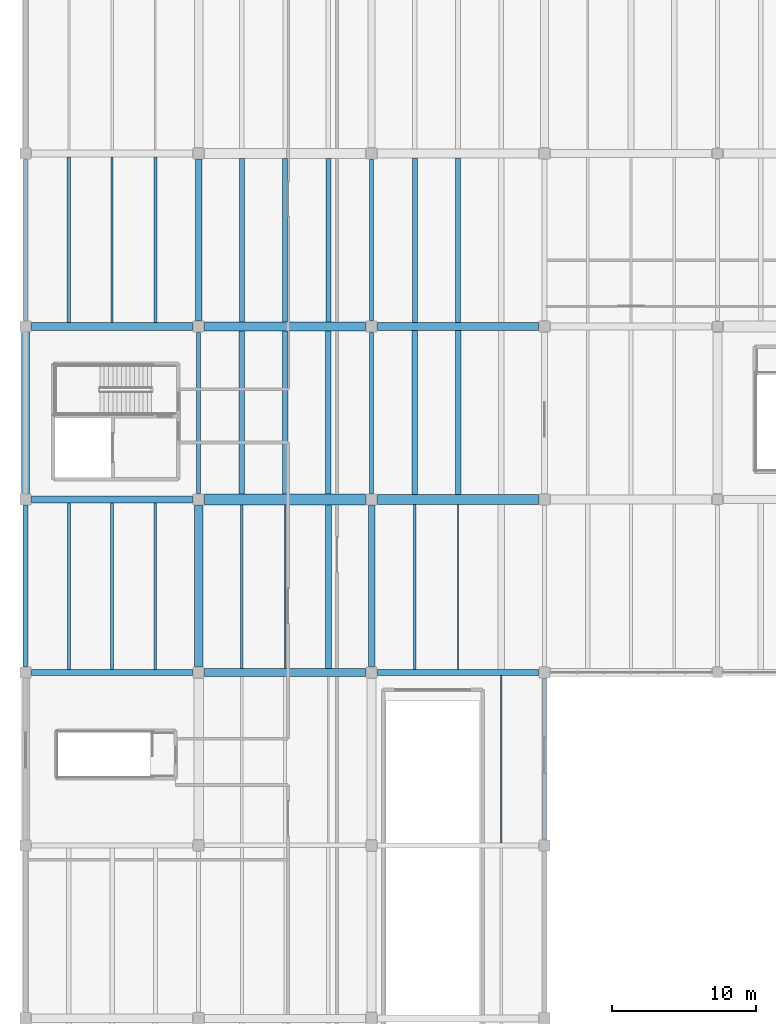
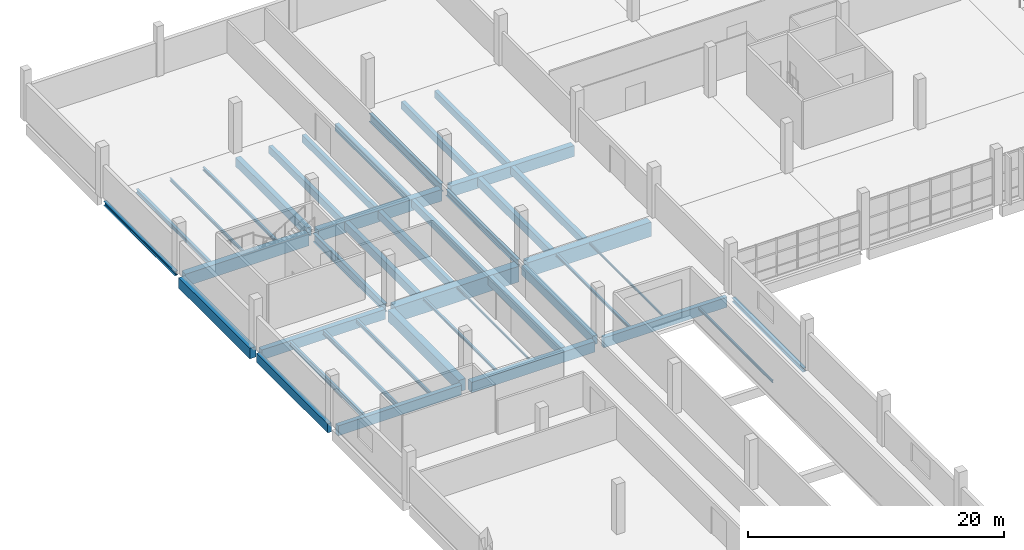
# One storey, part 26 of 112: 41 beams.
"""IFC4 building model written with IfcOpenShell, lengths in metres."""

from ifc_helpers import new_model, si_unit, direction, frame, origin, origin_2d, place, context, subcontext, project, spatial, rectangle, i_section, extrude, material, material_profile, profile_set, type_object, element, save


model = new_model("IFC4")

# Units and contexts
model_context = context("Model", 3, precision=1e-05, world=origin(), true_north=direction((0.0, 1.0)))
body_context = subcontext(model_context, "Body", "Model", "MODEL_VIEW")
ifc_project = project(units=[si_unit("LENGTHUNIT", "METRE"), si_unit("AREAUNIT", "SQUARE_METRE"), si_unit("VOLUMEUNIT", "CUBIC_METRE"), si_unit("PLANEANGLEUNIT", "RADIAN"), si_unit("MASSUNIT", "GRAM", prefix="KILO")], contexts=[model_context])

# Site, building, storey
site_placement = place(None, origin())
site = spatial("IfcSite", under=ifc_project, at=site_placement, CompositionType="ELEMENT")
building_placement = place(site_placement, origin())
building = spatial("IfcBuilding", under=site, at=building_placement, Name="Kamomehara Wholesale Market", CompositionType="ELEMENT")
storey_placement = place(building_placement, frame((0.0, 0.0, 6.60009765625)))
storey = spatial("IfcBuildingStorey", under=building, at=storey_placement, Name="L01", CompositionType="ELEMENT", Elevation=6.60009765625)

# Beams
ifc_material_1 = material(Name="Precast concrete Fc45 (C40/50)", Category="concrete")
ifc_material_profile_1 = material_profile(ifc_material_1, rectangle(XDim=0.550048828125, YDim=1.050048828125, at=origin_2d()), Name="PC-GRD-550x1050")
ifc_profile_set_1 = profile_set([ifc_material_profile_1], Name="Precast concrete Fc45 (C40/50)")
beam_type_1 = type_object("IfcBeamType", Name="BM-PG1050", PredefinedType="T_BEAM", material=ifc_profile_set_1)
beam_1_placement = place(storey_placement, frame((24.425048828125, 132.0, -0.877197265625), z_axis=(1.0, 0.0, 0.0), x_axis=(0.0, 1.0, 0.0)))
element("IfcBeam", 1, at=beam_1_placement, inside=storey, type_object=beam_type_1, Name="Beam PG-08 L01", PredefinedType="T_BEAM", context=body_context, shape_type="SweptSolid", body=[
    extrude(rectangle(XDim=0.550048828125, YDim=1.050048828125, at=origin_2d()), origin(), (0.0, 0.0, 1.0), 11.14990234375),
])
ifc_material_2 = material(Name="Precast concrete Fc45 (C40/50)", Category="concrete")
ifc_material_profile_2 = material_profile(ifc_material_2, rectangle(XDim=0.60009765625, YDim=1.10009765625, at=origin_2d()), Name="PC-GRD-600x1100")
ifc_profile_set_2 = profile_set([ifc_material_profile_2], Name="Precast concrete Fc45 (C40/50)")
beam_type_2 = type_object("IfcBeamType", Name="BM-PG1100", PredefinedType="T_BEAM", material=ifc_profile_set_2)
for number, where, z_axis, x_axis, name in (
    (2, (12.0, 108.425048828125, -0.882080078125), (0.0, 1.0, 0.0), (-1.0, 0.0, 0.0), "Beam PG-07 L01"),
    (3, (12.425048828125, 132.0, -0.902099609375), (1.0, 0.0, 0.0), (0.0, 1.0, 0.0), "Beam PG-07 L01"),
):
    element("IfcBeam", number, at=place(storey_placement, frame(where, z_axis=z_axis, x_axis=x_axis)), inside=storey, type_object=beam_type_2, Name=name, PredefinedType="T_BEAM", context=body_context, shape_type="SweptSolid", body=[
        extrude(rectangle(XDim=0.60009765625, YDim=1.10009765625, at=origin_2d()), origin(), (0.0, 0.0, 1.0), 11.14990234375),
    ])
ifc_material_3 = material(Name="Precast concrete Fc45 (C40/50)", Category="concrete")
ifc_material_profile_3 = material_profile(ifc_material_3, rectangle(XDim=0.580078125, YDim=1.179931640625, at=origin_2d()), Name="PC-GRD-580x1180")
ifc_profile_set_3 = profile_set([ifc_material_profile_3], Name="Precast concrete Fc45 (C40/50)")
beam_type_3 = type_object("IfcBeamType", Name="BM-PG1180", PredefinedType="T_BEAM", material=ifc_profile_set_3)
beam_2_placement = place(storey_placement, frame((0.425048828125, 132.0, -0.942138671875), z_axis=(1.0, 0.0, 0.0), x_axis=(0.0, 1.0, 0.0)))
element("IfcBeam", 4, at=beam_2_placement, inside=storey, type_object=beam_type_3, Name="Beam PG-14 L01", PredefinedType="T_BEAM", context=body_context, shape_type="SweptSolid", body=[
    extrude(rectangle(XDim=0.580078125, YDim=1.179931640625, at=origin_2d()), origin(), (0.0, 0.0, 1.0), 11.14990234375),
])
ifc_material_4 = material(Name="Precast concrete Fc45 (C40/50)", Category="concrete")
ifc_material_profile_4 = material_profile(ifc_material_4, rectangle(XDim=0.679931640625, YDim=1.3798828125, at=origin_2d()), Name="PC-GRD-680x1380")
ifc_profile_set_4 = profile_set([ifc_material_profile_4], Name="Precast concrete Fc45 (C40/50)")
beam_type_4 = type_object("IfcBeamType", Name="BM-PG1380", PredefinedType="T_BEAM", material=ifc_profile_set_4)
beam_3_placement = place(storey_placement, frame((24.425048828125, 120.0, -1.0419921875), z_axis=(1.0, 0.0, 0.0), x_axis=(0.0, 1.0, 0.0)))
element("IfcBeam", 5, at=beam_3_placement, inside=storey, type_object=beam_type_4, Name="Beam PG-12 L01", PredefinedType="T_BEAM", context=body_context, shape_type="SweptSolid", body=[
    extrude(rectangle(XDim=0.679931640625, YDim=1.3798828125, at=origin_2d()), origin(), (0.0, 0.0, 1.0), 11.14990234375),
])
ifc_material_5 = material(Name="Precast concrete Fc45 (C40/50)", Category="concrete")
ifc_material_profile_5 = material_profile(ifc_material_5, rectangle(XDim=0.75, YDim=1.5, at=origin_2d()), Name="PC-GRD-750x1500")
ifc_profile_set_5 = profile_set([ifc_material_profile_5], Name="Precast concrete Fc45 (C40/50)")
beam_type_5 = type_object("IfcBeamType", Name="BM-PG1500", PredefinedType="T_BEAM", material=ifc_profile_set_5)
beam_4_placement = place(storey_placement, frame((12.425048828125, 120.0, -1.10205078125), z_axis=(1.0, 0.0, 0.0), x_axis=(0.0, 1.0, 0.0)))
element("IfcBeam", 6, at=beam_4_placement, inside=storey, type_object=beam_type_5, Name="Beam PG-01 L01", PredefinedType="T_BEAM", context=body_context, shape_type="SweptSolid", body=[
    extrude(rectangle(XDim=0.75, YDim=1.5, at=origin_2d()), origin(), (0.0, 0.0, 1.0), 11.14990234375),
])
ifc_material_6 = material(Name="Precast concrete Fc45 (C40/50)", Category="concrete")
ifc_material_profile_6 = material_profile(ifc_material_6, rectangle(XDim=0.449951171875, YDim=0.85009765625, at=origin_2d()), Name="PC-GRD-450x850")
ifc_profile_set_6 = profile_set([ifc_material_profile_6], Name="Precast concrete Fc45 (C40/50)")
beam_type_6 = type_object("IfcBeamType", Name="BM-PG850", PredefinedType="T_BEAM", material=ifc_profile_set_6)
for number, where, z_axis, x_axis, name in (
    (7, (24.0, 108.425048828125, -0.757080078125), (0.0, 1.0, 0.0), (-1.0, 0.0, 0.0), "Beam PG-11 L01"),
    (8, (12.0, 132.425048828125, -0.777099609375), (0.0, 1.0, 0.0), (-1.0, 0.0, 0.0), "Beam PG-11 L01"),
):
    element("IfcBeam", number, at=place(storey_placement, frame(where, z_axis=z_axis, x_axis=x_axis)), inside=storey, type_object=beam_type_6, Name=name, PredefinedType="T_BEAM", context=body_context, shape_type="SweptSolid", body=[
        extrude(rectangle(XDim=0.449951171875, YDim=0.85009765625, at=origin_2d()), origin(), (0.0, 0.0, 1.0), 11.14990234375),
    ])
ifc_material_7 = material(Name="Precast concrete Fc45 (C40/50)", Category="concrete")
ifc_material_profile_7 = material_profile(ifc_material_7, rectangle(XDim=0.47998046875, YDim=0.949951171875, at=origin_2d()), Name="PC-GRD-480x950")
ifc_profile_set_7 = profile_set([ifc_material_profile_7], Name="Precast concrete Fc45 (C40/50)")
beam_type_7 = type_object("IfcBeamType", Name="BM-PG950", PredefinedType="T_BEAM", material=ifc_profile_set_7)
beam_5_placement = place(storey_placement, frame((0.425048828125, 120.0, -0.8271484375), z_axis=(1.0, 0.0, 0.0), x_axis=(0.0, 1.0, 0.0)))
element("IfcBeam", 9, at=beam_5_placement, inside=storey, type_object=beam_type_7, Name="Beam PG-16 L01", PredefinedType="T_BEAM", context=body_context, shape_type="SweptSolid", body=[
    extrude(rectangle(XDim=0.47998046875, YDim=0.949951171875, at=origin_2d()), origin(), (0.0, 0.0, 1.0), 11.14990234375),
])
ifc_material_8 = material(Name="Precast concrete Fc45 (C40/50)", Category="concrete")
ifc_material_profile_8 = material_profile(ifc_material_8, rectangle(XDim=0.35009765625, YDim=0.64990234375, at=origin_2d()), Name="PC-JST-350x650")
ifc_profile_set_8 = profile_set([ifc_material_profile_8], Name="Precast concrete Fc45 (C40/50)")
beam_type_8 = type_object("IfcBeamType", Name="BM-PJ650", PredefinedType="JOIST", material=ifc_profile_set_8)
beam_6_placement = place(storey_placement, frame((21.0, 132.300048828125, -0.677001953125), z_axis=(0.0, 1.0, 0.0), x_axis=(-1.0, 0.0, 0.0)))
element("IfcBeam", 10, at=beam_6_placement, inside=storey, type_object=beam_type_8, Name="Beam PJ-04 L01", PredefinedType="JOIST", context=body_context, shape_type="SweptSolid", body=[
    extrude(rectangle(XDim=0.35009765625, YDim=0.64990234375, at=origin_2d()), origin(), (0.0, 0.0, 1.0), 11.349853515625),
])
ifc_material_9 = material(Name="Precast concrete Fc45 (C40/50)", Category="concrete")
ifc_material_profile_9 = material_profile(ifc_material_9, rectangle(XDim=0.340087890625, YDim=0.679931640625, at=origin_2d()), Name="PC-JST-340x680")
ifc_profile_set_9 = profile_set([ifc_material_profile_9], Name="Precast concrete Fc45 (C40/50)")
beam_type_9 = type_object("IfcBeamType", Name="BM-PJ680", PredefinedType="JOIST", material=ifc_profile_set_9)
beam_7_placement = place(storey_placement, frame((18.0, 132.300048828125, -0.692138671875), z_axis=(0.0, 1.0, 0.0), x_axis=(-1.0, 0.0, 0.0)))
element("IfcBeam", 11, at=beam_7_placement, inside=storey, type_object=beam_type_9, Name="Beam PJ-09 L01", PredefinedType="JOIST", context=body_context, shape_type="SweptSolid", body=[
    extrude(rectangle(XDim=0.340087890625, YDim=0.679931640625, at=origin_2d()), origin(), (0.0, 0.0, 1.0), 11.349853515625),
])
beam_8_placement = place(storey_placement, frame((30.0, 132.27490234375, -0.692138671875), z_axis=(0.0, 1.0, 0.0), x_axis=(-1.0, 0.0, 0.0)))
element("IfcBeam", 12, at=beam_8_placement, inside=storey, type_object=beam_type_9, Name="Beam PJ-09 L01", PredefinedType="JOIST", context=body_context, shape_type="SweptSolid", body=[
    extrude(rectangle(XDim=0.340087890625, YDim=0.679931640625, at=origin_2d()), origin(), (0.0, 0.0, 1.0), 11.4150390625),
])
ifc_material_10 = material(Name="Precast concrete Fc45 (C40/50)", Category="concrete")
ifc_material_profile_10 = material_profile(ifc_material_10, rectangle(XDim=0.35009765625, YDim=0.699951171875, at=origin_2d()), Name="PC-JST-350x700")
ifc_profile_set_10 = profile_set([ifc_material_profile_10], Name="Precast concrete Fc45 (C40/50)")
beam_type_10 = type_object("IfcBeamType", Name="BM-PJ700", PredefinedType="JOIST", material=ifc_profile_set_10)
beam_9_placement = place(storey_placement, frame((15.0, 132.300048828125, -0.7021484375), z_axis=(0.0, 1.0, 0.0), x_axis=(-1.0, 0.0, 0.0)))
element("IfcBeam", 13, at=beam_9_placement, inside=storey, type_object=beam_type_10, Name="Beam PJ-03 L01", PredefinedType="JOIST", context=body_context, shape_type="SweptSolid", body=[
    extrude(rectangle(XDim=0.35009765625, YDim=0.699951171875, at=origin_2d()), origin(), (0.0, 0.0, 1.0), 11.349853515625),
])
beam_10_placement = place(storey_placement, frame((27.0, 132.27490234375, -0.7021484375), z_axis=(0.0, 1.0, 0.0), x_axis=(-1.0, 0.0, 0.0)))
element("IfcBeam", 14, at=beam_10_placement, inside=storey, type_object=beam_type_10, Name="Beam PJ-03 L01", PredefinedType="JOIST", context=body_context, shape_type="SweptSolid", body=[
    extrude(rectangle(XDim=0.35009765625, YDim=0.699951171875, at=origin_2d()), origin(), (0.0, 0.0, 1.0), 11.4150390625),
])
ifc_material_11 = material(Name="Precast concrete Fc45 (C40/50)", Category="concrete")
ifc_material_profile_11 = material_profile(ifc_material_11, rectangle(XDim=0.360107421875, YDim=0.719970703125, at=origin_2d()), Name="PC-JST-360x720")
ifc_profile_set_11 = profile_set([ifc_material_profile_11], Name="Precast concrete Fc45 (C40/50)")
beam_type_11 = type_object("IfcBeamType", Name="BM-PJ720", PredefinedType="JOIST", material=ifc_profile_set_11)
beam_11_placement = place(storey_placement, frame((21.0, 120.375, -0.712158203125), z_axis=(0.0, 1.0, 0.0), x_axis=(-1.0, 0.0, 0.0)))
element("IfcBeam", 15, at=beam_11_placement, inside=storey, type_object=beam_type_11, Name="Beam PJ-08 L01", PredefinedType="JOIST", context=body_context, shape_type="SweptSolid", body=[
    extrude(rectangle(XDim=0.360107421875, YDim=0.719970703125, at=origin_2d()), origin(), (0.0, 0.0, 1.0), 11.324951171875),
])
ifc_material_12 = material(Name="Precast concrete Fc45 (C40/50)", Category="concrete")
ifc_material_profile_12 = material_profile(ifc_material_12, rectangle(XDim=0.3798828125, YDim=0.75, at=origin_2d()), Name="PC-JST-380x750")
ifc_profile_set_12 = profile_set([ifc_material_profile_12], Name="Precast concrete Fc45 (C40/50)")
beam_type_12 = type_object("IfcBeamType", Name="BM-PJ750", PredefinedType="JOIST", material=ifc_profile_set_12)
beam_12_placement = place(storey_placement, frame((18.0, 120.375, -0.72705078125), z_axis=(0.0, 1.0, 0.0), x_axis=(-1.0, 0.0, 0.0)))
element("IfcBeam", 16, at=beam_12_placement, inside=storey, type_object=beam_type_12, Name="Beam PJ-02 L01", PredefinedType="JOIST", context=body_context, shape_type="SweptSolid", body=[
    extrude(rectangle(XDim=0.3798828125, YDim=0.75, at=origin_2d()), origin(), (0.0, 0.0, 1.0), 11.324951171875),
])
beam_13_placement = place(storey_placement, frame((30.0, 120.340087890625, -0.72705078125), z_axis=(0.0, 1.0, 0.0), x_axis=(-1.0, 0.0, 0.0)))
element("IfcBeam", 17, at=beam_13_placement, inside=storey, type_object=beam_type_12, Name="Beam PJ-02 L01", PredefinedType="JOIST", context=body_context, shape_type="SweptSolid", body=[
    extrude(rectangle(XDim=0.3798828125, YDim=0.75, at=origin_2d()), origin(), (0.0, 0.0, 1.0), 11.385009765625),
])
ifc_material_13 = material(Name="Precast concrete Fc45 (C40/50)", Category="concrete")
ifc_material_profile_13 = material_profile(ifc_material_13, rectangle(XDim=0.39990234375, YDim=0.800048828125, at=origin_2d()), Name="PC-JST-400x800")
ifc_profile_set_13 = profile_set([ifc_material_profile_13], Name="Precast concrete Fc45 (C40/50)")
beam_type_13 = type_object("IfcBeamType", Name="BM-PJ800", PredefinedType="JOIST", material=ifc_profile_set_13)
beam_14_placement = place(storey_placement, frame((15.0, 120.375, -0.752197265625), z_axis=(0.0, 1.0, 0.0), x_axis=(-1.0, 0.0, 0.0)))
element("IfcBeam", 18, at=beam_14_placement, inside=storey, type_object=beam_type_13, Name="Beam PJ-01 L01", PredefinedType="JOIST", context=body_context, shape_type="SweptSolid", body=[
    extrude(rectangle(XDim=0.39990234375, YDim=0.800048828125, at=origin_2d()), origin(), (0.0, 0.0, 1.0), 11.324951171875),
])
beam_15_placement = place(storey_placement, frame((27.0, 120.340087890625, -0.752197265625), z_axis=(0.0, 1.0, 0.0), x_axis=(-1.0, 0.0, 0.0)))
element("IfcBeam", 19, at=beam_15_placement, inside=storey, type_object=beam_type_13, Name="Beam PJ-01 L01", PredefinedType="JOIST", context=body_context, shape_type="SweptSolid", body=[
    extrude(rectangle(XDim=0.39990234375, YDim=0.800048828125, at=origin_2d()), origin(), (0.0, 0.0, 1.0), 11.385009765625),
])
ifc_material_14 = material(Name="Precast concrete Fc45 (C40/50)", Category="concrete")
ifc_material_profile_14 = material_profile(ifc_material_14, rectangle(XDim=0.419921875, YDim=0.840087890625, at=origin_2d()), Name="PC-JST-420x840")
ifc_profile_set_14 = profile_set([ifc_material_profile_14], Name="Precast concrete Fc45 (C40/50)")
beam_type_14 = type_object("IfcBeamType", Name="BM-PJ840", PredefinedType="JOIST", material=ifc_profile_set_14)
beam_16_placement = place(storey_placement, frame((21.0, 108.27490234375, -0.752197265625), z_axis=(0.0, 1.0, 0.0), x_axis=(-1.0, 0.0, 0.0)))
element("IfcBeam", 20, at=beam_16_placement, inside=storey, type_object=beam_type_14, Name="Beam PJ-07 L01", PredefinedType="JOIST", context=body_context, shape_type="SweptSolid", body=[
    extrude(rectangle(XDim=0.419921875, YDim=0.840087890625, at=origin_2d()), origin(), (0.0, 0.0, 1.0), 11.35009765625),
])
ifc_material_15 = material(Name="Concrete Fc36 (C35/45)", Category="concrete")
ifc_material_profile_15 = material_profile(ifc_material_15, rectangle(XDim=0.550048828125, YDim=1.0, at=origin_2d()), Name="RC-SEB-550x1000")
ifc_profile_set_15 = profile_set([ifc_material_profile_15], Name="Concrete Fc36 (C35/45)")
beam_type_15 = type_object("IfcBeamType", Name="BM-SEB1000-EXT", PredefinedType="SPANDREL", material=ifc_profile_set_15)
for number, where, z_axis, x_axis, name in (
    (21, (12.425048828125, 108.0, -0.842041015625), (1.0, 0.0, 0.0), (0.0, 1.0, 0.0), "Beam SEB-03E L01"),
    (22, (0.0, 120.425048828125, -0.85205078125), (0.0, 1.0, 0.0), (-1.0, 0.0, 0.0), "Beam SEB-03E L01"),
):
    element("IfcBeam", number, at=place(storey_placement, frame(where, z_axis=z_axis, x_axis=x_axis)), inside=storey, type_object=beam_type_15, Name=name, PredefinedType="SPANDREL", context=body_context, shape_type="SweptSolid", body=[
        extrude(rectangle(XDim=0.550048828125, YDim=1.0, at=origin_2d()), origin(), (0.0, 0.0, 1.0), 11.14990234375),
    ])
ifc_material_16 = material(Name="Precast concrete Fc45 (C40/50)", Category="concrete")
ifc_material_profile_16 = material_profile(ifc_material_16, rectangle(XDim=0.35009765625, YDim=0.85009765625, at=origin_2d()), Name="PC-SPN-350x850")
ifc_profile_set_16 = profile_set([ifc_material_profile_16], Name="Precast concrete Fc45 (C40/50)")
beam_type_16 = type_object("IfcBeamType", Name="BM-SPN850-EXT", PredefinedType="SPANDREL", material=ifc_profile_set_16)
beam_17_placement = place(storey_placement, frame((0.0, 108.425048828125, -0.757080078125), z_axis=(0.0, 1.0, 0.0), x_axis=(-1.0, 0.0, 0.0)))
element("IfcBeam", 23, at=beam_17_placement, inside=storey, type_object=beam_type_16, Name="Beam SPN-02E L01", PredefinedType="SPANDREL", context=body_context, shape_type="SweptSolid", body=[
    extrude(rectangle(XDim=0.35009765625, YDim=0.85009765625, at=origin_2d()), origin(), (0.0, 0.0, 1.0), 11.14990234375),
])
ifc_material_17 = material(Name="Precast concrete Fc45 (C40/50)", Category="concrete")
ifc_material_profile_17 = material_profile(ifc_material_17, rectangle(XDim=0.39990234375, YDim=0.949951171875, at=origin_2d()), Name="PC-SPN-400x950")
ifc_profile_set_17 = profile_set([ifc_material_profile_17], Name="Precast concrete Fc45 (C40/50)")
beam_type_17 = type_object("IfcBeamType", Name="BM-SPN950-EXT", PredefinedType="SPANDREL", material=ifc_profile_set_17)
for number, where, z_axis, x_axis, name in (
    (24, (0.425048828125, 108.0, -0.817138671875), (1.0, 0.0, 0.0), (0.0, 1.0, 0.0), "Beam SPN-01E L01"),
    (25, (24.425048828125, 108.0, -0.817138671875), (1.0, 0.0, 0.0), (0.0, 1.0, 0.0), "Beam SPN-01E L01"),
):
    element("IfcBeam", number, at=place(storey_placement, frame(where, z_axis=z_axis, x_axis=x_axis)), inside=storey, type_object=beam_type_17, Name=name, PredefinedType="SPANDREL", context=body_context, shape_type="SweptSolid", body=[
        extrude(rectangle(XDim=0.39990234375, YDim=0.949951171875, at=origin_2d()), origin(), (0.0, 0.0, 1.0), 11.14990234375),
    ])
ifc_material_18 = material(Name="Steel SN400B", Category="steel")
ifc_material_profile_18 = material_profile(ifc_material_18, i_section(OverallWidth=0.10009765625, OverallDepth=0.199951171875, WebThickness=0.005615234375, FlangeThickness=0.008056640625, FilletRadius=0.008056640625, at=origin_2d()), Name="H-200x100x5.5x8")
ifc_profile_set_18 = profile_set([ifc_material_profile_18], Name="Steel SN400B")
beam_type_18 = type_object("IfcBeamType", Name="BM-ST-H200", PredefinedType="LINTEL", material=ifc_profile_set_18)
beam_18_placement = place(storey_placement, frame((18.0, 108.27490234375, -0.43212890625), z_axis=(0.0, 1.0, 0.0), x_axis=(-1.0, 0.0, 0.0)))
element("IfcBeam", 26, at=beam_18_placement, inside=storey, type_object=beam_type_18, Name="Beam SJ-07 L01", PredefinedType="LINTEL", context=body_context, shape_type="SweptSolid", body=[
    extrude(i_section(OverallWidth=0.10009765625, OverallDepth=0.199951171875, WebThickness=0.005615234375, FlangeThickness=0.008056640625, FilletRadius=0.008056640625, at=origin_2d()), origin(), (0.0, 0.0, 1.0), 11.35009765625),
])
beam_19_placement = place(storey_placement, frame((30.0, 108.199951171875, -0.43212890625), z_axis=(0.0, 1.0, 0.0), x_axis=(-1.0, 0.0, 0.0)))
element("IfcBeam", 27, at=beam_19_placement, inside=storey, type_object=beam_type_18, Name="Beam SJ-07 L01", PredefinedType="LINTEL", context=body_context, shape_type="SweptSolid", body=[
    extrude(i_section(OverallWidth=0.10009765625, OverallDepth=0.199951171875, WebThickness=0.005615234375, FlangeThickness=0.008056640625, FilletRadius=0.008056640625, at=origin_2d()), origin(), (0.0, 0.0, 1.0), 11.4599609375),
])
ifc_material_19 = material(Name="Steel SN400B", Category="steel")
ifc_material_profile_19 = material_profile(ifc_material_19, i_section(OverallWidth=0.175048828125, OverallDepth=0.243896484375, WebThickness=0.007080078125, FlangeThickness=0.010986328125, FilletRadius=0.010986328125, at=origin_2d()), Name="H-244x175x7x11")
ifc_profile_set_19 = profile_set([ifc_material_profile_19], Name="Steel SN400B")
beam_type_19 = type_object("IfcBeamType", Name="BM-ST-H244", PredefinedType="JOIST", material=ifc_profile_set_19)
beam_20_placement = place(storey_placement, frame((15.0, 108.27490234375, -0.4541015625), z_axis=(0.0, 1.0, 0.0), x_axis=(-1.0, 0.0, 0.0)))
element("IfcBeam", 28, at=beam_20_placement, inside=storey, type_object=beam_type_19, Name="Beam SJ-10 L01", PredefinedType="JOIST", context=body_context, shape_type="SweptSolid", body=[
    extrude(i_section(OverallWidth=0.175048828125, OverallDepth=0.243896484375, WebThickness=0.007080078125, FlangeThickness=0.010986328125, FilletRadius=0.010986328125, at=origin_2d()), origin(), (0.0, 0.0, 1.0), 11.35009765625),
])
beam_21_placement = place(storey_placement, frame((27.0, 108.199951171875, -0.4541015625), z_axis=(0.0, 1.0, 0.0), x_axis=(-1.0, 0.0, 0.0)))
element("IfcBeam", 29, at=beam_21_placement, inside=storey, type_object=beam_type_19, Name="Beam SJ-10 L01", PredefinedType="JOIST", context=body_context, shape_type="SweptSolid", body=[
    extrude(i_section(OverallWidth=0.175048828125, OverallDepth=0.243896484375, WebThickness=0.007080078125, FlangeThickness=0.010986328125, FilletRadius=0.010986328125, at=origin_2d()), origin(), (0.0, 0.0, 1.0), 11.4599609375),
])
ifc_material_20 = material(Name="Steel SN400B", Category="steel")
ifc_material_profile_20 = material_profile(ifc_material_20, i_section(OverallWidth=0.125, OverallDepth=0.25, WebThickness=0.006103515625, FlangeThickness=0.009033203125, FilletRadius=0.008056640625, at=origin_2d()), Name="H-250x125x6x9")
ifc_profile_set_20 = profile_set([ifc_material_profile_20], Name="Steel SN400B")
beam_type_20 = type_object("IfcBeamType", Name="BM-ST-H250", PredefinedType="JOIST", material=ifc_profile_set_20)
beam_22_placement = place(storey_placement, frame((33.0, 96.175048828125, -0.467041015625), z_axis=(0.0, 1.0, 0.0), x_axis=(-1.0, 0.0, 0.0)))
element("IfcBeam", 30, at=beam_22_placement, inside=storey, type_object=beam_type_20, Name="Beam SJ-06 L01", PredefinedType="JOIST", context=body_context, shape_type="SweptSolid", body=[
    extrude(i_section(OverallWidth=0.125, OverallDepth=0.25, WebThickness=0.006103515625, FlangeThickness=0.009033203125, FilletRadius=0.008056640625, at=origin_2d()), origin(), (0.0, 0.0, 1.0), 11.625),
])
ifc_material_21 = material(Name="Steel SN400B", Category="steel")
ifc_material_profile_21 = material_profile(ifc_material_21, i_section(OverallWidth=0.199951171875, OverallDepth=0.2939453125, WebThickness=0.008056640625, FlangeThickness=0.011962890625, FilletRadius=0.012939453125, at=origin_2d()), Name="H-294x200x8x12")
ifc_profile_set_21 = profile_set([ifc_material_profile_21], Name="Steel SN400B")
beam_type_21 = type_object("IfcBeamType", Name="BM-ST-H294", PredefinedType="JOIST", material=ifc_profile_set_21)
beam_23_placement = place(storey_placement, frame((9.0, 132.2900390625, -0.4990234375), z_axis=(0.0, 1.0, 0.0), x_axis=(-1.0, 0.0, 0.0)))
element("IfcBeam", 31, at=beam_23_placement, inside=storey, type_object=beam_type_21, Name="Beam SJ-09 L01", PredefinedType="JOIST", context=body_context, shape_type="SweptSolid", body=[
    extrude(i_section(OverallWidth=0.199951171875, OverallDepth=0.2939453125, WebThickness=0.008056640625, FlangeThickness=0.011962890625, FilletRadius=0.012939453125, at=origin_2d()), origin(), (0.0, 0.0, 1.0), 11.4599609375),
])
ifc_material_22 = material(Name="Steel SN400B", Category="steel")
ifc_material_profile_22 = material_profile(ifc_material_22, i_section(OverallWidth=0.14990234375, OverallDepth=0.300048828125, WebThickness=0.006591796875, FlangeThickness=0.009033203125, FilletRadius=0.012939453125, at=origin_2d()), Name="H-300x150x6.5x9")
ifc_profile_set_22 = profile_set([ifc_material_profile_22], Name="Steel SN400B")
beam_type_22 = type_object("IfcBeamType", Name="BM-ST-H300", PredefinedType="JOIST", material=ifc_profile_set_22)
beam_24_placement = place(storey_placement, frame((6.0, 132.2900390625, -0.502197265625), z_axis=(0.0, 1.0, 0.0), x_axis=(-1.0, 0.0, 0.0)))
element("IfcBeam", 32, at=beam_24_placement, inside=storey, type_object=beam_type_22, Name="Beam SJ-05 L01", PredefinedType="JOIST", context=body_context, shape_type="SweptSolid", body=[
    extrude(i_section(OverallWidth=0.14990234375, OverallDepth=0.300048828125, WebThickness=0.006591796875, FlangeThickness=0.009033203125, FilletRadius=0.012939453125, at=origin_2d()), origin(), (0.0, 0.0, 1.0), 11.4599609375),
])
ifc_material_23 = material(Name="Steel SN490B", Category="steel")
ifc_material_profile_23 = material_profile(ifc_material_23, i_section(OverallWidth=0.25, OverallDepth=0.340087890625, WebThickness=0.009033203125, FlangeThickness=0.013916015625, FilletRadius=0.012939453125, at=origin_2d()), Name="H-340x250x9x14")
ifc_profile_set_23 = profile_set([ifc_material_profile_23], Name="Steel SN490B")
beam_type_23 = type_object("IfcBeamType", Name="BM-ST-H340", PredefinedType="JOIST", material=ifc_profile_set_23)
beam_25_placement = place(storey_placement, frame((3.0, 132.2900390625, -0.522216796875), z_axis=(0.0, 1.0, 0.0), x_axis=(-1.0, 0.0, 0.0)))
element("IfcBeam", 33, at=beam_25_placement, inside=storey, type_object=beam_type_23, Name="Beam SJ-08 L01", PredefinedType="JOIST", context=body_context, shape_type="SweptSolid", body=[
    extrude(i_section(OverallWidth=0.25, OverallDepth=0.340087890625, WebThickness=0.009033203125, FlangeThickness=0.013916015625, FilletRadius=0.012939453125, at=origin_2d()), origin(), (0.0, 0.0, 1.0), 11.4599609375),
])
ifc_material_24 = material(Name="Steel SN400B", Category="steel")
ifc_material_profile_24 = material_profile(ifc_material_24, i_section(OverallWidth=0.175048828125, OverallDepth=0.35009765625, WebThickness=0.007080078125, FlangeThickness=0.010986328125, FilletRadius=0.012939453125, at=origin_2d()), Name="H-350x175x7x11")
ifc_profile_set_24 = profile_set([ifc_material_profile_24], Name="Steel SN400B")
beam_type_24 = type_object("IfcBeamType", Name="BM-ST-H350", PredefinedType="JOIST", material=ifc_profile_set_24)
beam_26_placement = place(storey_placement, frame((9.0, 108.199951171875, -0.507080078125), z_axis=(0.0, 1.0, 0.0), x_axis=(-1.0, 0.0, 0.0)))
element("IfcBeam", 34, at=beam_26_placement, inside=storey, type_object=beam_type_24, Name="Beam SJ-04 L01", PredefinedType="JOIST", context=body_context, shape_type="SweptSolid", body=[
    extrude(i_section(OverallWidth=0.175048828125, OverallDepth=0.35009765625, WebThickness=0.007080078125, FlangeThickness=0.010986328125, FilletRadius=0.012939453125, at=origin_2d()), origin(), (0.0, 0.0, 1.0), 11.56005859375),
])
ifc_material_25 = material(Name="Steel SN490B", Category="steel")
ifc_material_profile_25 = material_profile(ifc_material_25, i_section(OverallWidth=0.300048828125, OverallDepth=0.389892578125, WebThickness=0.010009765625, FlangeThickness=0.01611328125, FilletRadius=0.01806640625, at=origin_2d()), Name="H-390x300x10x16")
ifc_profile_set_25 = profile_set([ifc_material_profile_25], Name="Steel SN490B")
beam_type_25 = type_object("IfcBeamType", Name="BM-ST-H390-EXT", PredefinedType="SPANDREL", material=ifc_profile_set_25)
for number, where, z_axis, x_axis, name in (
    (35, (36.0, 96.425048828125, -0.537109375), (0.0, 1.0, 0.0), (-1.0, 0.0, 0.0), "Beam SJ-03E L01"),
    (36, (0.0, 132.425048828125, -0.547119140625), (0.0, 1.0, 0.0), (-1.0, 0.0, 0.0), "Beam SJ-03E L01"),
):
    element("IfcBeam", number, at=place(storey_placement, frame(where, z_axis=z_axis, x_axis=x_axis)), inside=storey, type_object=beam_type_25, Name=name, PredefinedType="SPANDREL", context=body_context, shape_type="SweptSolid", body=[
        extrude(i_section(OverallWidth=0.300048828125, OverallDepth=0.389892578125, WebThickness=0.010009765625, FlangeThickness=0.01611328125, FilletRadius=0.01806640625, at=origin_2d()), origin(), (0.0, 0.0, 1.0), 11.14990234375),
    ])
ifc_material_26 = material(Name="Steel SN400B", Category="steel")
ifc_material_profile_26 = material_profile(ifc_material_26, i_section(OverallWidth=0.199951171875, OverallDepth=0.39990234375, WebThickness=0.008056640625, FlangeThickness=0.012939453125, FilletRadius=0.012939453125, at=origin_2d()), Name="H-400x200x8x13")
ifc_profile_set_26 = profile_set([ifc_material_profile_26], Name="Steel SN400B")
beam_type_26 = type_object("IfcBeamType", Name="BM-ST-H400", PredefinedType="JOIST", material=ifc_profile_set_26)
beam_27_placement = place(storey_placement, frame((6.0, 108.199951171875, -0.531982421875), z_axis=(0.0, 1.0, 0.0), x_axis=(-1.0, 0.0, 0.0)))
element("IfcBeam", 37, at=beam_27_placement, inside=storey, type_object=beam_type_26, Name="Beam SJ-02 L01", PredefinedType="JOIST", context=body_context, shape_type="SweptSolid", body=[
    extrude(i_section(OverallWidth=0.199951171875, OverallDepth=0.39990234375, WebThickness=0.008056640625, FlangeThickness=0.012939453125, FilletRadius=0.012939453125, at=origin_2d()), origin(), (0.0, 0.0, 1.0), 11.56005859375),
])
ifc_material_27 = material(Name="Steel SN400B", Category="steel")
ifc_material_profile_27 = material_profile(ifc_material_27, i_section(OverallWidth=0.199951171875, OverallDepth=0.449951171875, WebThickness=0.009033203125, FlangeThickness=0.013916015625, FilletRadius=0.012939453125, at=origin_2d()), Name="H-450x200x9x14")
ifc_profile_set_27 = profile_set([ifc_material_profile_27], Name="Steel SN400B")
beam_type_27 = type_object("IfcBeamType", Name="BM-ST-H450", PredefinedType="JOIST", material=ifc_profile_set_27)
beam_28_placement = place(storey_placement, frame((3.0, 108.199951171875, -0.55712890625), z_axis=(0.0, 1.0, 0.0), x_axis=(-1.0, 0.0, 0.0)))
element("IfcBeam", 38, at=beam_28_placement, inside=storey, type_object=beam_type_27, Name="Beam SJ-01 L01", PredefinedType="JOIST", context=body_context, shape_type="SweptSolid", body=[
    extrude(i_section(OverallWidth=0.199951171875, OverallDepth=0.449951171875, WebThickness=0.009033203125, FlangeThickness=0.013916015625, FilletRadius=0.012939453125, at=origin_2d()), origin(), (0.0, 0.0, 1.0), 11.56005859375),
])
ifc_material_28 = material(Name="Steel SN490B", Category="steel")
ifc_material_profile_28 = material_profile(ifc_material_28, i_section(OverallWidth=0.300048828125, OverallDepth=0.58203125, WebThickness=0.011962890625, FlangeThickness=0.01708984375, FilletRadius=0.02197265625, at=origin_2d()), Name="H-582x300x12x17")
ifc_profile_set_28 = profile_set([ifc_material_profile_28], Name="Steel SN490B")
beam_type_28 = type_object("IfcBeamType", Name="BM-ST-H582", PredefinedType="BEAM", material=ifc_profile_set_28)
beam_29_placement = place(storey_placement, frame((24.0, 120.425048828125, -0.64306640625), z_axis=(0.0, 1.0, 0.0), x_axis=(-1.0, 0.0, 0.0)))
element("IfcBeam", 39, at=beam_29_placement, inside=storey, type_object=beam_type_28, Name="Beam SG-10 L01", PredefinedType="BEAM", context=body_context, shape_type="SweptSolid", body=[
    extrude(i_section(OverallWidth=0.300048828125, OverallDepth=0.58203125, WebThickness=0.011962890625, FlangeThickness=0.01708984375, FilletRadius=0.02197265625, at=origin_2d()), origin(), (0.0, 0.0, 1.0), 11.14990234375),
])
ifc_material_29 = material(Name="Steel SN490B", Category="steel")
ifc_material_profile_29 = material_profile(ifc_material_29, i_section(OverallWidth=0.300048828125, OverallDepth=0.7919921875, WebThickness=0.013916015625, FlangeThickness=0.02197265625, FilletRadius=0.02392578125, at=origin_2d()), Name="H-792x300x14x22")
ifc_profile_set_29 = profile_set([ifc_material_profile_29], Name="Steel SN490B")
beam_type_29 = type_object("IfcBeamType", Name="BM-ST-H792", PredefinedType="BEAM", material=ifc_profile_set_29)
beam_30_placement = place(storey_placement, frame((12.0, 120.425048828125, -0.748046875), z_axis=(0.0, 1.0, 0.0), x_axis=(-1.0, 0.0, 0.0)))
element("IfcBeam", 40, at=beam_30_placement, inside=storey, type_object=beam_type_29, Name="Beam SG-09 L01", PredefinedType="BEAM", context=body_context, shape_type="SweptSolid", body=[
    extrude(i_section(OverallWidth=0.300048828125, OverallDepth=0.7919921875, WebThickness=0.013916015625, FlangeThickness=0.02197265625, FilletRadius=0.02392578125, at=origin_2d()), origin(), (0.0, 0.0, 1.0), 11.14990234375),
])
ifc_material_30 = material(Name="Steel SN490B", Category="steel")
ifc_material_profile_30 = material_profile(ifc_material_30, i_section(OverallWidth=0.300048828125, OverallDepth=0.800048828125, WebThickness=0.013916015625, FlangeThickness=0.02587890625, FilletRadius=0.02392578125, at=origin_2d()), Name="H-800x300x14x26")
ifc_profile_set_30 = profile_set([ifc_material_profile_30], Name="Steel SN490B")
beam_type_30 = type_object("IfcBeamType", Name="BM-ST-H800", PredefinedType="BEAM", material=ifc_profile_set_30)
beam_31_placement = place(storey_placement, frame((24.0, 132.425048828125, -0.752197265625), z_axis=(0.0, 1.0, 0.0), x_axis=(-1.0, 0.0, 0.0)))
element("IfcBeam", 41, at=beam_31_placement, inside=storey, type_object=beam_type_30, Name="Beam SG-02 L01", PredefinedType="BEAM", context=body_context, shape_type="SweptSolid", body=[
    extrude(i_section(OverallWidth=0.300048828125, OverallDepth=0.800048828125, WebThickness=0.013916015625, FlangeThickness=0.02587890625, FilletRadius=0.02392578125, at=origin_2d()), origin(), (0.0, 0.0, 1.0), 11.14990234375),
])

save(model, "model.ifc")
